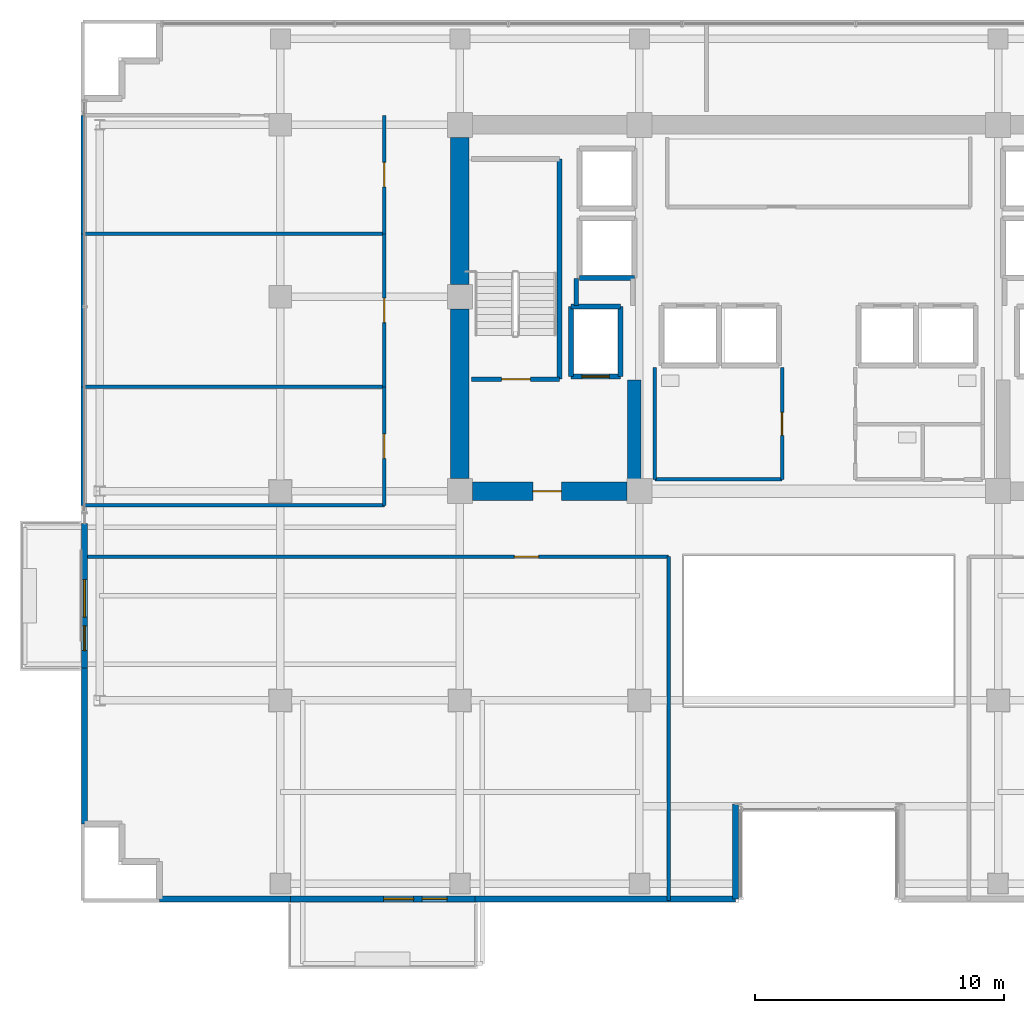
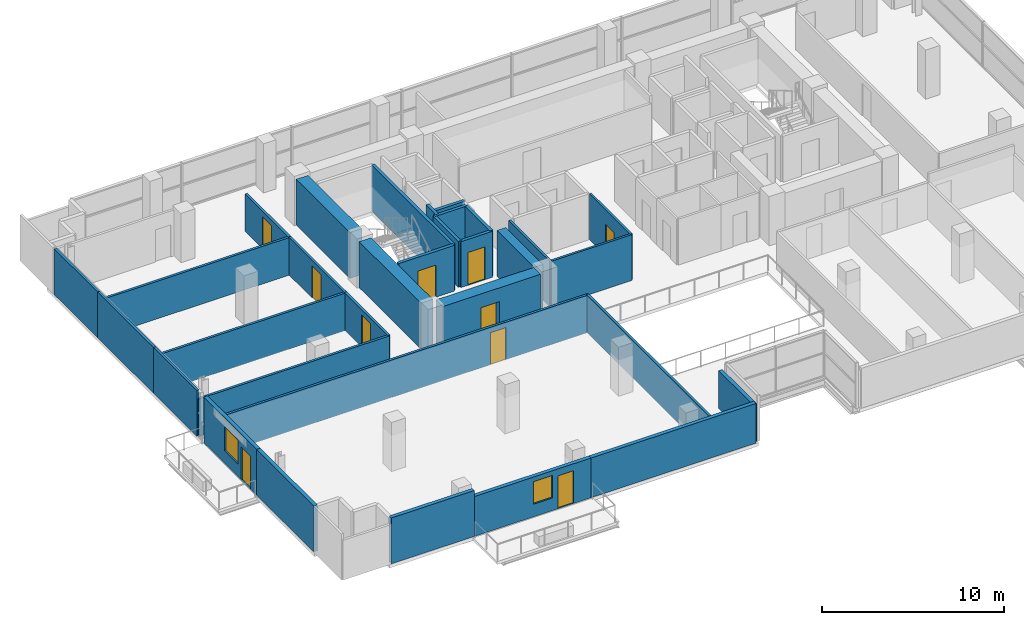
# One storey, part 20 of 28: 32 walls, 10 doors, 2 windows, 12 openings.
"""IFC4 building model written with IfcOpenShell, lengths in metres."""

from ifc_helpers import new_model, si_unit, direction, frame, frame_2d, origin, place, context, subcontext, project, spatial, rectangle, extrude, source, transform, mapped, material, layer, layer_set, type_object, element, fill, save


model = new_model("IFC4")

# Units and contexts
model_context = context("Model", 3, precision=1e-05, world=origin(), true_north=direction((0.0, 1.0)))
body_context = subcontext(model_context, "Body", "Model", "MODEL_VIEW")
ifc_project = project(units=[si_unit("LENGTHUNIT", "METRE"), si_unit("AREAUNIT", "SQUARE_METRE"), si_unit("VOLUMEUNIT", "CUBIC_METRE"), si_unit("PLANEANGLEUNIT", "RADIAN"), si_unit("MASSUNIT", "GRAM", prefix="KILO")], contexts=[model_context])

# Site, building, storey
site_placement = place(None, origin())
site = spatial("IfcSite", under=ifc_project, at=site_placement, CompositionType="ELEMENT")
building_placement = place(site_placement, origin())
building = spatial("IfcBuilding", under=site, at=building_placement, Name="Zarnakvel Exchange Tower", CompositionType="ELEMENT")
storey_placement = place(building_placement, frame((0.0, 0.0, 109.89990234375)))
storey = spatial("IfcBuildingStorey", under=building, at=storey_placement, Name="L30", CompositionType="ELEMENT", Elevation=109.89990234375)

# Walls
ifc_material_1 = material(Name="Concrete C60/75", Category="concrete")
ifc_layer_1 = layer(ifc_material_1, 0.75)
ifc_layer_set_1 = layer_set([ifc_layer_1], Name="Concrete C60/75")
wall_type_1 = type_object("IfcWallType", Name="CW-C3", PredefinedType="SHEAR", material=ifc_layer_set_1)
wall_1_placement = place(storey_placement, frame((-14.39990234375, -0.699951171875, 0.0), z_axis=(0.0, 0.0, 1.0), x_axis=(0.0, 1.0, 0.0)))
element("IfcWall", 1, at=wall_1_placement, inside=storey, type_object=wall_type_1, Name="L30 Rear Core Shear Wall W1 (CW-C3)", PredefinedType="SHEAR", context=body_context, shape_type="SweptSolid", body=[
    extrude(rectangle(XDim=6.800048828125, YDim=0.75, at=frame_2d((3.39990234375, 0.0))), origin(), (0.0, 0.0, 1.0), 3.0751953125),
])
wall_2_placement = place(storey_placement, frame((-14.39990234375, 7.10009765625, 0.0), z_axis=(0.0, 0.0, 1.0), x_axis=(0.0, 1.0, 0.0)))
element("IfcWall", 2, at=wall_2_placement, inside=storey, type_object=wall_type_1, Name="L30 Rear Core Shear Wall W2 (CW-C3)", PredefinedType="SHEAR", context=body_context, shape_type="SweptSolid", body=[
    extrude(rectangle(XDim=5.89990234375, YDim=0.75, at=frame_2d((2.949951171875, 0.0))), origin(), (0.0, 0.0, 1.0), 3.0751953125),
])

# Wall, opening, door
wall_3_placement = place(storey_placement, frame((-7.699951171875, -1.199951171875, 0.0), z_axis=(0.0, 0.0, 1.0), x_axis=(-1.0, 0.0, 0.0)))
wall_3 = element("IfcWall", 3, at=wall_3_placement, inside=storey, type_object=wall_type_1, Name="L30 Rear Core Shear Wall SW (CW-C3)", PredefinedType="SHEAR", context=body_context, shape_type="SweptSolid", body=[
    extrude(rectangle(XDim=6.199951171875, YDim=0.75, at=frame_2d((3.10009765625, 0.0))), origin(), (0.0, 0.0, 1.0), 3.0751953125),
])
opening_1_placement = place(wall_3_placement, frame((2.625, 0.0, 0.0)))
opening_1 = element("IfcOpeningElement", 4, at=opening_1_placement, cuts=wall_3, Name="Opening D-L30-03", PredefinedType="OPENING", context=body_context, shape_type="SweptSolid", body=[
    extrude(rectangle(XDim=1.14990234375, YDim=2.14990234375, at=frame_2d((0.574951171875, 1.074951171875))), frame((0.0, 0.385009765625, 0.0), z_axis=(0.0, -1.0, 0.0), x_axis=(1.0, 0.0, 0.0)), (0.0, 0.0, 1.0), 0.77001953125),
])
ifc_material_2 = material(Name="Painted Galvanised Steel S355", Category="steel")
door_type_1 = type_object("IfcDoorType", Name="DT-04", OperationType="NOTDEFINED", PredefinedType="DOOR", material=ifc_material_2)
shared_shape_1 = source(origin(), body_context, "Body", "SweptSolid", [
    extrude(rectangle(XDim=1.14990234375, YDim=2.14990234375, at=frame_2d((0.574951171875, 1.074951171875))), frame((0.0, 0.02490234375, 0.0), z_axis=(0.0, -1.0, 0.0), x_axis=(1.0, 0.0, 0.0)), (0.0, 0.0, 1.0), 0.050048828125),
])
door_1_placement = place(opening_1_placement, origin())
door_1 = element("IfcDoor", 5, at=door_1_placement, inside=storey, type_object=door_type_1, Name="L30 Firefighting Lobby West Door D-L30-03", OperationType="SINGLE_SWING_RIGHT", OverallHeight=2.14990234375, OverallWidth=1.14990234375, PredefinedType="DOOR", context=body_context, shape_type="MappedRepresentation", body=[
    mapped(shared_shape_1, transform((0.0, 0.0, 0.0), x_axis=(1.0, 0.0, 0.0), y_axis=(0.0, 1.0, 0.0), z_axis=(0.0, 0.0, 1.0), scale=1.0)),
])
fill(opening_1, door_1)

# Wall
ifc_layer_2 = layer(ifc_material_1, 0.550048828125)
ifc_layer_set_2 = layer_set([ifc_layer_2], Name="Concrete C60/75")
wall_type_2 = type_object("IfcWallType", Name="CW-C4", PredefinedType="SHEAR", material=ifc_layer_set_2)
wall_4_placement = place(storey_placement, frame((-7.39990234375, -0.824951171875, 0.0), z_axis=(0.0, 0.0, 1.0), x_axis=(0.0, 1.0, 0.0)))
element("IfcWall", 6, at=wall_4_placement, inside=storey, type_object=wall_type_2, Name="L30 Rear Core Shear Wall IW (CW-C4)", PredefinedType="SHEAR", context=body_context, shape_type="SweptSolid", body=[
    extrude(rectangle(XDim=4.074951171875, YDim=0.550048828125, at=frame_2d((2.03759765625, 0.0))), origin(), (0.0, 0.0, 1.0), 3.0751953125),
])

# Wall, openings, door, window
ifc_material_3 = material(Name="Precast concrete C40/50", Category="concrete")
ifc_layer_3 = layer(ifc_material_3, 0.239990234375)
ifc_layer_set_3 = layer_set([ifc_layer_3], Name="Precast concrete C40/50")
wall_type_3 = type_object("IfcWallType", Name="EW-02", PredefinedType="SOLIDWALL", material=ifc_layer_set_3)
wall_5_placement = place(storey_placement, frame((-13.800048828125, -17.56005859375, 0.0), z_axis=(0.0, 0.0, 1.0), x_axis=(-1.0, 0.0, 0.0)))
wall_5 = element("IfcWall", 7, at=wall_5_placement, inside=storey, type_object=wall_type_3, Name="L30 Exterior Precast Spandrel Wall EW-BAL-L30-SW (EW-02)", PredefinedType="SOLIDWALL", context=body_context, shape_type="SweptSolid", body=[
    extrude(rectangle(XDim=7.39990234375, YDim=0.239990234375, at=frame_2d((3.699951171875, 0.0))), origin(), (0.0, 0.0, 1.0), 2.6650390625),
])
opening_2_placement = place(wall_5_placement, frame((1.110107421875, 0.0, 0.0)))
opening_2 = element("IfcOpeningElement", 8, at=opening_2_placement, cuts=wall_5, Name="Opening BD-L30-01", PredefinedType="OPENING", context=body_context, shape_type="SweptSolid", body=[
    extrude(rectangle(XDim=1.0, YDim=2.199951171875, at=frame_2d((0.5, 1.10009765625))), frame((0.0, 0.1298828125, 0.0), z_axis=(0.0, -1.0, 0.0), x_axis=(1.0, 0.0, 0.0)), (0.0, 0.0, 1.0), 0.260009765625),
])
opening_3_placement = place(wall_5_placement, frame((2.4599609375, 0.0, 0.85009765625)))
opening_3 = element("IfcOpeningElement", 9, at=opening_3_placement, cuts=wall_5, Name="Opening WN-04", PredefinedType="OPENING", context=body_context, shape_type="SweptSolid", body=[
    extrude(rectangle(XDim=1.199951171875, YDim=1.5, at=frame_2d((0.60009765625, 0.75))), frame((0.0, 0.1298828125, 0.0), z_axis=(0.0, -1.0, 0.0), x_axis=(1.0, 0.0, 0.0)), (0.0, 0.0, 1.0), 0.260009765625),
])
ifc_material_4 = material(Name="Architectural Bronze Anodised Aluminium", Category="aluminium")
door_type_2 = type_object("IfcDoorType", Name="DT-09", OperationType="NOTDEFINED", PredefinedType="DOOR", material=ifc_material_4)
shared_shape_2 = source(origin(), body_context, "Body", "SweptSolid", [
    extrude(rectangle(XDim=1.0, YDim=2.199951171875, at=frame_2d((0.5, 1.10009765625))), frame((0.0, 0.02490234375, 0.0), z_axis=(0.0, -1.0, 0.0), x_axis=(1.0, 0.0, 0.0)), (0.0, 0.0, 1.0), 0.050048828125),
])
door_2_placement = place(opening_2_placement, origin())
door_2 = element("IfcDoor", 10, at=door_2_placement, inside=storey, type_object=door_type_2, Name="L30 Planted Loggia Balcony Door BD-L30-01", OperationType="SINGLE_SWING_RIGHT", OverallHeight=2.199951171875, OverallWidth=1.0, PredefinedType="DOOR", context=body_context, shape_type="MappedRepresentation", body=[
    mapped(shared_shape_2, transform((0.0, 0.0, 0.0), x_axis=(1.0, 0.0, 0.0), y_axis=(0.0, 1.0, 0.0), z_axis=(0.0, 0.0, 1.0), scale=1.0)),
])
fill(opening_2, door_2)
ifc_material_5 = material(Name="Double Low-E Laminated Vision Glass", Category="glass")
window_type_1 = type_object("IfcWindowType", Name="WN-04", PartitioningType="SINGLE_PANEL", PredefinedType="WINDOW", material=ifc_material_5)
shared_shape_3 = source(origin(), body_context, "Body", "SweptSolid", [
    extrude(rectangle(XDim=1.199951171875, YDim=1.5, at=frame_2d((0.60009765625, 0.75))), frame((0.0, 0.030029296875, 0.0), z_axis=(0.0, -1.0, 0.0), x_axis=(1.0, 0.0, 0.0)), (0.0, 0.0, 1.0), 0.06005859375),
])
window_1_placement = place(opening_3_placement, origin())
window_1 = element("IfcWindow", 11, at=window_1_placement, inside=storey, type_object=window_type_1, Name="L30 Loggia Daylight Window (WN-04)", OverallHeight=1.5, OverallWidth=1.199951171875, PartitioningType="SINGLE_PANEL", PredefinedType="WINDOW", context=body_context, shape_type="MappedRepresentation", body=[
    mapped(shared_shape_3, transform((0.0, 0.0, 0.0), x_axis=(1.0, 0.0, 0.0), y_axis=(0.0, 1.0, 0.0), z_axis=(0.0, 0.0, 1.0), scale=1.0)),
])
fill(opening_3, window_1)

wall_6_placement = place(storey_placement, frame((-29.4599609375, -8.300048828125, 0.0), z_axis=(0.0, 0.0, 1.0), x_axis=(0.0, 1.0, 0.0)))
wall_6 = element("IfcWall", 12, at=wall_6_placement, inside=storey, type_object=wall_type_3, Name="L30 Exterior Precast Spandrel Wall EW-BAL-L30-W (EW-02)", PredefinedType="SOLIDWALL", context=body_context, shape_type="SweptSolid", body=[
    extrude(rectangle(XDim=5.800048828125, YDim=0.239990234375, at=frame_2d((2.89990234375, 0.0))), origin(), (0.0, 0.0, 1.0), 3.0751953125),
])
opening_4_placement = place(wall_6_placement, frame((0.696044921875, 0.0, 0.0)))
opening_4 = element("IfcOpeningElement", 13, at=opening_4_placement, cuts=wall_6, Name="Opening BD-L30-03", PredefinedType="OPENING", context=body_context, shape_type="SweptSolid", body=[
    extrude(rectangle(XDim=1.0, YDim=2.199951171875, at=frame_2d((0.5, 1.10009765625))), frame((0.0, 0.1298828125, 0.0), z_axis=(0.0, -1.0, 0.0), x_axis=(1.0, 0.0, 0.0)), (0.0, 0.0, 1.0), 0.260009765625),
])
opening_5_placement = place(wall_6_placement, frame((2.0458984375, 0.0, 0.85009765625)))
opening_5 = element("IfcOpeningElement", 14, at=opening_5_placement, cuts=wall_6, Name="Opening WN-03", PredefinedType="OPENING", context=body_context, shape_type="SweptSolid", body=[
    extrude(rectangle(XDim=1.5, YDim=1.60009765625, at=frame_2d((0.75, 0.800048828125))), frame((0.0, 0.1298828125, 0.0), z_axis=(0.0, -1.0, 0.0), x_axis=(1.0, 0.0, 0.0)), (0.0, 0.0, 1.0), 0.260009765625),
])
door_3_placement = place(opening_4_placement, origin())
door_3 = element("IfcDoor", 15, at=door_3_placement, inside=storey, type_object=door_type_2, Name="L30 Planted Loggia Balcony Door BD-L30-03", OperationType="SINGLE_SWING_RIGHT", OverallHeight=2.199951171875, OverallWidth=1.0, PredefinedType="DOOR", context=body_context, shape_type="MappedRepresentation", body=[
    mapped(shared_shape_2, transform((0.0, 0.0, 0.0), x_axis=(1.0, 0.0, 0.0), y_axis=(0.0, 1.0, 0.0), z_axis=(0.0, 0.0, 1.0), scale=1.0)),
])
fill(opening_4, door_3)
window_type_2 = type_object("IfcWindowType", Name="WN-03", PartitioningType="SINGLE_PANEL", PredefinedType="WINDOW", material=ifc_material_5)
shared_shape_4 = source(origin(), body_context, "Body", "SweptSolid", [
    extrude(rectangle(XDim=1.5, YDim=1.60009765625, at=frame_2d((0.75, 0.800048828125))), frame((0.0, 0.030029296875, 0.0), z_axis=(0.0, -1.0, 0.0), x_axis=(1.0, 0.0, 0.0)), (0.0, 0.0, 1.0), 0.06005859375),
])
window_2_placement = place(opening_5_placement, origin())
window_2 = element("IfcWindow", 16, at=window_2_placement, inside=storey, type_object=window_type_2, Name="L30 Loggia Daylight Window (WN-03)", OverallHeight=1.60009765625, OverallWidth=1.5, PartitioningType="SINGLE_PANEL", PredefinedType="WINDOW", context=body_context, shape_type="MappedRepresentation", body=[
    mapped(shared_shape_4, transform((0.0, 0.0, 0.0), x_axis=(1.0, 0.0, 0.0), y_axis=(0.0, 1.0, 0.0), z_axis=(0.0, 0.0, 1.0), scale=1.0)),
])
fill(opening_5, window_2)

# Walls
wall_7_placement = place(storey_placement, frame((-29.4599609375, -8.300048828125, 0.0), z_axis=(0.0, 0.0, 1.0), x_axis=(0.0, -1.0, 0.0)))
element("IfcWall", 17, at=wall_7_placement, inside=storey, type_object=wall_type_3, Name="L30 Exterior Precast Spandrel Wall EWC-L30-01 (EW-02)", PredefinedType="SOLIDWALL", context=body_context, shape_type="SweptSolid", body=[
    extrude(rectangle(XDim=6.260009765625, YDim=0.239990234375, at=frame_2d((3.1298828125, 0.0))), origin(), (0.0, 0.0, 1.0), 3.0751953125),
])
wall_8_placement = place(storey_placement, frame((-3.340087890625, -17.56005859375, 0.0), z_axis=(0.0, 0.0, 1.0), x_axis=(0.0, 1.0, 0.0)))
element("IfcWall", 18, at=wall_8_placement, inside=storey, type_object=wall_type_3, Name="L30 Exterior Precast Spandrel Wall EWC-L30-20 (EW-02)", PredefinedType="SOLIDWALL", context=body_context, shape_type="SweptSolid", body=[
    extrude(rectangle(XDim=3.800048828125, YDim=0.239990234375, at=frame_2d((1.89990234375, 0.0))), origin(), (0.0, 0.0, 1.0), 2.51513671875),
])
wall_9_placement = place(storey_placement, frame((-13.800048828125, -17.56005859375, 0.0), z_axis=(0.0, 0.0, 1.0), x_axis=(1.0, 0.0, 0.0)))
element("IfcWall", 19, at=wall_9_placement, inside=storey, type_object=wall_type_3, Name="L30 Exterior Precast Spandrel Wall EWC-L30-21 (EW-02)", PredefinedType="SOLIDWALL", context=body_context, shape_type="SweptSolid", body=[
    extrude(rectangle(XDim=10.4599609375, YDim=0.239990234375, at=frame_2d((5.22998046875, 0.0))), origin(), (0.0, 0.0, 1.0), 2.6650390625),
])
wall_10_placement = place(storey_placement, frame((-26.4599609375, -17.56005859375, 0.0), z_axis=(0.0, 0.0, 1.0), x_axis=(1.0, 0.0, 0.0)))
element("IfcWall", 20, at=wall_10_placement, inside=storey, type_object=wall_type_3, Name="L30 Exterior Precast Spandrel Wall EWC-L30-22 (EW-02)", PredefinedType="SOLIDWALL", context=body_context, shape_type="SweptSolid", body=[
    extrude(rectangle(XDim=5.260009765625, YDim=0.239990234375, at=frame_2d((2.6298828125, 0.0))), origin(), (0.0, 0.0, 1.0), 3.0751953125),
])

# Wall, opening, door
ifc_material_6 = material(Name="Fire-Rated Gypsum Stud Partition", Category="gypsum")
ifc_layer_4 = layer(ifc_material_6, 0.14990234375)
ifc_layer_set_4 = layer_set([ifc_layer_4], Name="Fire-Rated Gypsum Stud Partition")
wall_type_4 = type_object("IfcWallType", Name="PT-01", PredefinedType="PARTITIONING", material=ifc_layer_set_4)
wall_11_placement = place(storey_placement, frame((-29.530029296875, -3.830078125, 0.0), z_axis=(0.0, 0.0, 1.0), x_axis=(1.0, 0.0, 0.0)))
wall_11 = element("IfcWall", 21, at=wall_11_placement, inside=storey, type_object=wall_type_4, Name="L30 Partition Wall PWALL-L30-026 (PT-01)", PredefinedType="PARTITIONING", context=body_context, shape_type="SweptSolid", body=[
    extrude(rectangle(XDim=23.510009765625, YDim=0.14990234375, at=frame_2d((11.7548828125, 0.0))), origin(), (0.0, 0.0, 1.0), 2.51513671875),
])
opening_6_placement = place(wall_11_placement, frame((17.31494140625, 0.0, 0.0)))
opening_6 = element("IfcOpeningElement", 22, at=opening_6_placement, cuts=wall_11, Name="Opening D-L30-10", PredefinedType="OPENING", context=body_context, shape_type="SweptSolid", body=[
    extrude(rectangle(XDim=0.97998046875, YDim=2.14990234375, at=frame_2d((0.489990234375, 1.074951171875))), frame((0.0, 0.0849609375, 0.0), z_axis=(0.0, -1.0, 0.0), x_axis=(1.0, 0.0, 0.0)), (0.0, 0.0, 1.0), 0.169921875),
])
ifc_material_7 = material(Name="Timber Acoustic Veneer", Category="wood")
door_type_3 = type_object("IfcDoorType", Name="DT-05", OperationType="NOTDEFINED", PredefinedType="DOOR", material=ifc_material_7)
shared_shape_5 = source(origin(), body_context, "Body", "SweptSolid", [
    extrude(rectangle(XDim=0.97998046875, YDim=2.14990234375, at=frame_2d((0.489990234375, 1.074951171875))), frame((0.0, 0.02490234375, 0.0), z_axis=(0.0, -1.0, 0.0), x_axis=(1.0, 0.0, 0.0)), (0.0, 0.0, 1.0), 0.050048828125),
])
door_4_placement = place(opening_6_placement, origin())
door_4 = element("IfcDoor", 23, at=door_4_placement, inside=storey, type_object=door_type_3, Name="L30 Derivatives Trading Hall Door D-L30-10", OperationType="SINGLE_SWING_LEFT", OverallHeight=2.14990234375, OverallWidth=0.97998046875, PredefinedType="DOOR", context=body_context, shape_type="MappedRepresentation", body=[
    mapped(shared_shape_5, transform((0.0, 0.0, 0.0), x_axis=(1.0, 0.0, 0.0), y_axis=(0.0, 1.0, 0.0), z_axis=(0.0, 0.0, 1.0), scale=1.0)),
])
fill(opening_6, door_4)

# Walls
wall_12_placement = place(storey_placement, frame((-6.02001953125, -3.830078125, 0.0), z_axis=(0.0, 0.0, 1.0), x_axis=(0.0, -1.0, 0.0)))
element("IfcWall", 24, at=wall_12_placement, inside=storey, type_object=wall_type_4, Name="L30 Partition Wall PWALL-L30-028 (PT-01)", PredefinedType="PARTITIONING", context=body_context, shape_type="SweptSolid", body=[
    extrude(rectangle(XDim=13.7998046875, YDim=0.14990234375, at=frame_2d((6.89990234375, 0.0))), origin(), (0.0, 0.0, 1.0), 2.51513671875),
])
for number, where, z_axis, x_axis, name in (
    (25, (-17.429931640625, -1.77001953125, 0.0), (0.0, 0.0, 1.0), (-1.0, 0.0, 0.0), "L30 Partition Wall PWALL-L30-039 (PT-01)"),
    (26, (-29.530029296875, 2.987060546875, 0.0), (0.0, 0.0, 1.0), (1.0, 0.0, 0.0), "L30 Partition Wall PWALL-L30-040 (PT-01)"),
):
    element("IfcWall", number, at=place(storey_placement, frame(where, z_axis=z_axis, x_axis=x_axis)), inside=storey, type_object=wall_type_4, Name=name, PredefinedType="PARTITIONING", context=body_context, shape_type="SweptSolid", body=[
        extrude(rectangle(XDim=12.10009765625, YDim=0.14990234375, at=frame_2d((6.050048828125, 0.0))), origin(), (0.0, 0.0, 1.0), 2.51513671875),
    ])
wall_13_placement = place(storey_placement, frame((-29.530029296875, -1.77001953125, 0.0), z_axis=(0.0, 0.0, 1.0), x_axis=(0.0, 1.0, 0.0)))
element("IfcWall", 27, at=wall_13_placement, inside=storey, type_object=wall_type_4, Name="L30 Partition Wall PWALL-L30-041 (PT-01)", PredefinedType="PARTITIONING", context=body_context, shape_type="SweptSolid", body=[
    extrude(rectangle(XDim=4.757080078125, YDim=0.14990234375, at=frame_2d((2.37841796875, 0.0))), origin(), (0.0, 0.0, 1.0), 3.0751953125),
])

# Wall, opening, door
wall_14_placement = place(storey_placement, frame((-17.429931640625, 2.987060546875, 0.0), z_axis=(0.0, 0.0, 1.0), x_axis=(0.0, -1.0, 0.0)))
wall_14 = element("IfcWall", 28, at=wall_14_placement, inside=storey, type_object=wall_type_4, Name="L30 Partition Wall PWALL-L30-042 (PT-01)", PredefinedType="PARTITIONING", context=body_context, shape_type="SweptSolid", body=[
    extrude(rectangle(XDim=4.757080078125, YDim=0.14990234375, at=frame_2d((2.37841796875, 0.0))), origin(), (0.0, 0.0, 1.0), 2.51513671875),
])
opening_7_placement = place(wall_14_placement, frame((1.887939453125, 0.0, 0.0)))
opening_7 = element("IfcOpeningElement", 29, at=opening_7_placement, cuts=wall_14, Name="Opening D-L30-14", PredefinedType="OPENING", context=body_context, shape_type="SweptSolid", body=[
    extrude(rectangle(XDim=0.97998046875, YDim=2.14990234375, at=frame_2d((0.489990234375, 1.074951171875))), frame((0.0, 0.0849609375, 0.0), z_axis=(0.0, -1.0, 0.0), x_axis=(1.0, 0.0, 0.0)), (0.0, 0.0, 1.0), 0.169921875),
])
door_5_placement = place(opening_7_placement, origin())
door_5 = element("IfcDoor", 30, at=door_5_placement, inside=storey, type_object=door_type_3, Name="L30 Executive Suite Door D-L30-14", OperationType="SINGLE_SWING_LEFT", OverallHeight=2.14990234375, OverallWidth=0.97998046875, PredefinedType="DOOR", context=body_context, shape_type="MappedRepresentation", body=[
    mapped(shared_shape_5, transform((0.0, 0.0, 0.0), x_axis=(1.0, 0.0, 0.0), y_axis=(0.0, 1.0, 0.0), z_axis=(0.0, 0.0, 1.0), scale=1.0)),
])
fill(opening_7, door_5)

# Walls
wall_15_placement = place(storey_placement, frame((-29.530029296875, 9.123046875, 0.0), z_axis=(0.0, 0.0, 1.0), x_axis=(1.0, 0.0, 0.0)))
element("IfcWall", 31, at=wall_15_placement, inside=storey, type_object=wall_type_4, Name="L30 Partition Wall PWALL-L30-043 (PT-01)", PredefinedType="PARTITIONING", context=body_context, shape_type="SweptSolid", body=[
    extrude(rectangle(XDim=12.10009765625, YDim=0.14990234375, at=frame_2d((6.050048828125, 0.0))), origin(), (0.0, 0.0, 1.0), 2.51513671875),
])
wall_16_placement = place(storey_placement, frame((-29.530029296875, 2.987060546875, 0.0), z_axis=(0.0, 0.0, 1.0), x_axis=(0.0, 1.0, 0.0)))
element("IfcWall", 32, at=wall_16_placement, inside=storey, type_object=wall_type_4, Name="L30 Partition Wall PWALL-L30-044 (PT-01)", PredefinedType="PARTITIONING", context=body_context, shape_type="SweptSolid", body=[
    extrude(rectangle(XDim=6.135986328125, YDim=0.14990234375, at=frame_2d((3.06787109375, 0.0))), origin(), (0.0, 0.0, 1.0), 3.0751953125),
])

# Wall, opening, door
wall_17_placement = place(storey_placement, frame((-17.429931640625, 9.123046875, 0.0), z_axis=(0.0, 0.0, 1.0), x_axis=(0.0, -1.0, 0.0)))
wall_17 = element("IfcWall", 33, at=wall_17_placement, inside=storey, type_object=wall_type_4, Name="L30 Partition Wall PWALL-L30-045 (PT-01)", PredefinedType="PARTITIONING", context=body_context, shape_type="SweptSolid", body=[
    extrude(rectangle(XDim=6.135986328125, YDim=0.14990234375, at=frame_2d((3.06787109375, 0.0))), origin(), (0.0, 0.0, 1.0), 2.51513671875),
])
opening_8_placement = place(wall_17_placement, frame((2.578125, 0.0, 0.0)))
opening_8 = element("IfcOpeningElement", 34, at=opening_8_placement, cuts=wall_17, Name="Opening D-L30-15", PredefinedType="OPENING", context=body_context, shape_type="SweptSolid", body=[
    extrude(rectangle(XDim=0.97998046875, YDim=2.14990234375, at=frame_2d((0.489990234375, 1.074951171875))), frame((0.0, 0.0849609375, 0.0), z_axis=(0.0, -1.0, 0.0), x_axis=(1.0, 0.0, 0.0)), (0.0, 0.0, 1.0), 0.169921875),
])
door_6_placement = place(opening_8_placement, origin())
door_6 = element("IfcDoor", 35, at=door_6_placement, inside=storey, type_object=door_type_3, Name="L30 Staff Pantry Door D-L30-15", OperationType="SINGLE_SWING_RIGHT", OverallHeight=2.14990234375, OverallWidth=0.97998046875, PredefinedType="DOOR", context=body_context, shape_type="MappedRepresentation", body=[
    mapped(shared_shape_5, transform((0.0, 0.0, 0.0), x_axis=(1.0, 0.0, 0.0), y_axis=(0.0, 1.0, 0.0), z_axis=(0.0, 0.0, 1.0), scale=1.0)),
])
fill(opening_8, door_6)

# Wall
wall_18_placement = place(storey_placement, frame((-29.530029296875, 9.123046875, 0.0), z_axis=(0.0, 0.0, 1.0), x_axis=(0.0, 1.0, 0.0)))
element("IfcWall", 36, at=wall_18_placement, inside=storey, type_object=wall_type_4, Name="L30 Partition Wall PWALL-L30-047 (PT-01)", PredefinedType="PARTITIONING", context=body_context, shape_type="SweptSolid", body=[
    extrude(rectangle(XDim=4.7568359375, YDim=0.14990234375, at=frame_2d((2.37841796875, 0.0))), origin(), (0.0, 0.0, 1.0), 3.0751953125),
])

# Wall, opening, door
wall_19_placement = place(storey_placement, frame((-17.429931640625, 13.8798828125, 0.0), z_axis=(0.0, 0.0, 1.0), x_axis=(0.0, -1.0, 0.0)))
wall_19 = element("IfcWall", 37, at=wall_19_placement, inside=storey, type_object=wall_type_4, Name="L30 Partition Wall PWALL-L30-048 (PT-01)", PredefinedType="PARTITIONING", context=body_context, shape_type="SweptSolid", body=[
    extrude(rectangle(XDim=4.7568359375, YDim=0.14990234375, at=frame_2d((2.37841796875, 0.0))), origin(), (0.0, 0.0, 1.0), 2.51513671875),
])
opening_9_placement = place(wall_19_placement, frame((1.887939453125, 0.0, 0.0)))
opening_9 = element("IfcOpeningElement", 38, at=opening_9_placement, cuts=wall_19, Name="Opening D-L30-16", PredefinedType="OPENING", context=body_context, shape_type="SweptSolid", body=[
    extrude(rectangle(XDim=0.97998046875, YDim=2.14990234375, at=frame_2d((0.489990234375, 1.074951171875))), frame((0.0, 0.0849609375, 0.0), z_axis=(0.0, -1.0, 0.0), x_axis=(1.0, 0.0, 0.0)), (0.0, 0.0, 1.0), 0.169921875),
])
door_7_placement = place(opening_9_placement, origin())
door_7 = element("IfcDoor", 39, at=door_7_placement, inside=storey, type_object=door_type_3, Name="L30 Compliance Office Door D-L30-16", OperationType="SINGLE_SWING_LEFT", OverallHeight=2.14990234375, OverallWidth=0.97998046875, PredefinedType="DOOR", context=body_context, shape_type="MappedRepresentation", body=[
    mapped(shared_shape_5, transform((0.0, 0.0, 0.0), x_axis=(1.0, 0.0, 0.0), y_axis=(0.0, 1.0, 0.0), z_axis=(0.0, 0.0, 1.0), scale=1.0)),
])
fill(opening_9, door_7)

# Walls
ifc_layer_5 = layer(ifc_material_6, 0.179931640625)
ifc_layer_set_5 = layer_set([ifc_layer_5], Name="Fire-Rated Gypsum Stud Partition")
wall_type_5 = type_object("IfcWallType", Name="PT-02", PredefinedType="PARTITIONING", material=ifc_layer_set_5)
wall_20_placement = place(storey_placement, frame((-9.72998046875, 6.239990234375, 0.0), z_axis=(0.0, 0.0, 1.0), x_axis=(0.0, 1.0, 0.0)))
element("IfcWall", 40, at=wall_20_placement, inside=storey, type_object=wall_type_5, Name="L30 Partition Wall PWALL-L30-007 (PT-02)", PredefinedType="PARTITIONING", context=body_context, shape_type="SweptSolid", body=[
    extrude(rectangle(XDim=1.090087890625, YDim=0.179931640625, at=frame_2d((0.544921875, 0.0))), origin(), (0.0, 0.0, 1.0), 3.0751953125),
])
ifc_material_8 = material(Name="Moisture-Resistant Tile-Faced Partition", Category="gypsum")
ifc_layer_6 = layer(ifc_material_8, 0.135009765625)
ifc_layer_set_6 = layer_set([ifc_layer_6], Name="Moisture-Resistant Tile-Faced Partition")
wall_type_6 = type_object("IfcWallType", Name="PT-03", PredefinedType="PARTITIONING", material=ifc_layer_set_6)
wall_21_placement = place(storey_placement, frame((-1.469970703125, -0.72998046875, 0.0), z_axis=(0.0, 0.0, 1.0), x_axis=(-1.0, 0.0, 0.0)))
element("IfcWall", 41, at=wall_21_placement, inside=storey, type_object=wall_type_6, Name="L30 Partition Wall PWALL-L30-014 (PT-03)", PredefinedType="PARTITIONING", context=body_context, shape_type="SweptSolid", body=[
    extrude(rectangle(XDim=5.110107421875, YDim=0.135009765625, at=frame_2d((2.55517578125, 0.0))), origin(), (0.0, 0.0, 1.0), 3.0751953125),
])
wall_22_placement = place(storey_placement, frame((-6.580078125, -0.72998046875, 0.0), z_axis=(0.0, 0.0, 1.0), x_axis=(0.0, 1.0, 0.0)))
element("IfcWall", 42, at=wall_22_placement, inside=storey, type_object=wall_type_6, Name="L30 Partition Wall PWALL-L30-015 (PT-03)", PredefinedType="PARTITIONING", context=body_context, shape_type="SweptSolid", body=[
    extrude(rectangle(XDim=4.489990234375, YDim=0.135009765625, at=frame_2d((2.2451171875, 0.0))), origin(), (0.0, 0.0, 1.0), 3.0751953125),
])

# Wall, opening, door
wall_23_placement = place(storey_placement, frame((-1.469970703125, 3.760009765625, 0.0), z_axis=(0.0, 0.0, 1.0), x_axis=(0.0, -1.0, 0.0)))
wall_23 = element("IfcWall", 43, at=wall_23_placement, inside=storey, type_object=wall_type_6, Name="L30 Partition Wall PWALL-L30-016 (PT-03)", PredefinedType="PARTITIONING", context=body_context, shape_type="SweptSolid", body=[
    extrude(rectangle(XDim=4.489990234375, YDim=0.135009765625, at=frame_2d((2.2451171875, 0.0))), origin(), (0.0, 0.0, 1.0), 3.0751953125),
])
opening_10_placement = place(wall_23_placement, frame((1.800048828125, 0.0, 0.0)))
opening_10 = element("IfcOpeningElement", 44, at=opening_10_placement, cuts=wall_23, Name="Opening D-L30-06", PredefinedType="OPENING", context=body_context, shape_type="SweptSolid", body=[
    extrude(rectangle(XDim=0.919921875, YDim=2.10009765625, at=frame_2d((0.4599609375, 1.050048828125))), frame((0.0, 0.077392578125, 0.0), z_axis=(0.0, -1.0, 0.0), x_axis=(1.0, 0.0, 0.0)), (0.0, 0.0, 1.0), 0.155029296875),
])
ifc_material_9 = material(Name="Moisture-Resistant Laminate Timber", Category="wood")
door_type_4 = type_object("IfcDoorType", Name="DT-07", OperationType="NOTDEFINED", PredefinedType="DOOR", material=ifc_material_9)
shared_shape_6 = source(origin(), body_context, "Body", "SweptSolid", [
    extrude(rectangle(XDim=0.919921875, YDim=2.10009765625, at=frame_2d((0.4599609375, 1.050048828125))), frame((0.0, 0.02490234375, 0.0), z_axis=(0.0, -1.0, 0.0), x_axis=(1.0, 0.0, 0.0)), (0.0, 0.0, 1.0), 0.050048828125),
])
door_8_placement = place(opening_10_placement, origin())
door_8 = element("IfcDoor", 45, at=door_8_placement, inside=storey, type_object=door_type_4, Name="L30 Male Toilet Door D-L30-06", OperationType="SINGLE_SWING_LEFT", OverallHeight=2.10009765625, OverallWidth=0.919921875, PredefinedType="DOOR", context=body_context, shape_type="MappedRepresentation", body=[
    mapped(shared_shape_6, transform((0.0, 0.0, 0.0), x_axis=(1.0, 0.0, 0.0), y_axis=(0.0, 1.0, 0.0), z_axis=(0.0, 0.0, 1.0), scale=1.0)),
])
fill(opening_10, door_8)

ifc_material_10 = material(Name="Concrete C40/50", Category="concrete")
ifc_layer_7 = layer(ifc_material_10, 0.199951171875)
ifc_layer_set_7 = layer_set([ifc_layer_7], Name="Concrete C40/50")
wall_type_7 = type_object("IfcWallType", Name="SW-01", PredefinedType="SOLIDWALL", material=ifc_layer_set_7)
wall_24_placement = place(storey_placement, frame((-7.949951171875, 3.39990234375, 0.0), z_axis=(0.0, 0.0, 1.0), x_axis=(-1.0, 0.0, 0.0)))
wall_24 = element("IfcWall", 46, at=wall_24_placement, inside=storey, type_object=wall_type_7, Name="L30 FL-01 Hoistway Wall South", PredefinedType="SOLIDWALL", context=body_context, shape_type="SweptSolid", body=[
    extrude(rectangle(XDim=2.0, YDim=0.199951171875, at=frame_2d((1.0, 0.0))), origin(), (0.0, 0.0, 1.0), 3.0751953125),
])
opening_11_placement = place(wall_24_placement, frame((0.449951171875, 0.0, 0.0)))
opening_11 = element("IfcOpeningElement", 47, at=opening_11_placement, cuts=wall_24, Name="Opening LD-FL-01-L30", PredefinedType="OPENING", context=body_context, shape_type="SweptSolid", body=[
    extrude(rectangle(XDim=1.10009765625, YDim=2.199951171875, at=frame_2d((0.550048828125, 1.10009765625))), frame((0.0, 0.10986328125, 0.0), z_axis=(0.0, -1.0, 0.0), x_axis=(1.0, 0.0, 0.0)), (0.0, 0.0, 1.0), 0.219970703125),
])
ifc_material_11 = material(Name="Brushed Stainless Steel", Category="steel")
door_type_5 = type_object("IfcDoorType", Name="LDT-01", OperationType="NOTDEFINED", PredefinedType="DOOR", material=ifc_material_11)
shared_shape_7 = source(origin(), body_context, "Body", "SweptSolid", [
    extrude(rectangle(XDim=1.10009765625, YDim=2.199951171875, at=frame_2d((0.550048828125, 1.10009765625))), frame((0.0, 0.02490234375, 0.0), z_axis=(0.0, -1.0, 0.0), x_axis=(1.0, 0.0, 0.0)), (0.0, 0.0, 1.0), 0.050048828125),
])
door_9_placement = place(opening_11_placement, origin())
door_9 = element("IfcDoor", 48, at=door_9_placement, inside=storey, type_object=door_type_5, Name="L30 FL-01 Lift Landing Door LD-FL-01-L30", OperationType="DOUBLE_DOOR_SLIDING", OverallHeight=2.199951171875, OverallWidth=1.10009765625, PredefinedType="DOOR", context=body_context, shape_type="MappedRepresentation", body=[
    mapped(shared_shape_7, transform((0.0, 0.0, 0.0), x_axis=(1.0, 0.0, 0.0), y_axis=(0.0, 1.0, 0.0), z_axis=(0.0, 0.0, 1.0), scale=1.0)),
])
fill(opening_11, door_9)

# Walls
wall_25_placement = place(storey_placement, frame((-9.949951171875, 6.199951171875, 0.0), z_axis=(0.0, 0.0, 1.0), x_axis=(1.0, 0.0, 0.0)))
element("IfcWall", 49, at=wall_25_placement, inside=storey, type_object=wall_type_7, Name="L30 FL-01 Hoistway Wall North", PredefinedType="SOLIDWALL", context=body_context, shape_type="SweptSolid", body=[
    extrude(rectangle(XDim=2.0, YDim=0.199951171875, at=frame_2d((1.0, 0.0))), origin(), (0.0, 0.0, 1.0), 3.0751953125),
])
for number, where, z_axis, x_axis, name in (
    (50, (-9.949951171875, 3.39990234375, 0.0), (0.0, 0.0, 1.0), (0.0, 1.0, 0.0), "L30 FL-01 Hoistway Wall West"),
    (51, (-7.949951171875, 6.199951171875, 0.0), (0.0, 0.0, 1.0), (0.0, -1.0, 0.0), "L30 FL-01 Hoistway Wall East"),
):
    element("IfcWall", number, at=place(storey_placement, frame(where, z_axis=z_axis, x_axis=x_axis)), inside=storey, type_object=wall_type_7, Name=name, PredefinedType="SOLIDWALL", context=body_context, shape_type="SweptSolid", body=[
        extrude(rectangle(XDim=2.800048828125, YDim=0.199951171875, at=frame_2d((1.39990234375, 0.0))), origin(), (0.0, 0.0, 1.0), 3.0751953125),
    ])
wall_26_placement = place(storey_placement, frame((-7.39990234375, 7.35009765625, 0.0), z_axis=(0.0, 0.0, 1.0), x_axis=(-1.0, 0.0, 0.0)))
element("IfcWall", 52, at=wall_26_placement, inside=storey, type_object=wall_type_7, Name="L30 PL-09 Hoistway Wall South", PredefinedType="SOLIDWALL", context=body_context, shape_type="SweptSolid", body=[
    extrude(rectangle(XDim=2.2001953125, YDim=0.199951171875, at=frame_2d((1.10009765625, 0.0))), origin(), (0.0, 0.0, 1.0), 2.51513671875),
])

# Wall, opening, door
ifc_layer_8 = layer(ifc_material_10, 0.199951171875)
ifc_layer_set_8 = layer_set([ifc_layer_8], Name="Concrete C40/50")
wall_type_8 = type_object("IfcWallType", Name="SW-02", PredefinedType="SOLIDWALL", material=ifc_layer_set_8)
wall_27_placement = place(storey_placement, frame((-10.409912109375, 3.2900390625, 0.0), z_axis=(0.0, 0.0, 1.0), x_axis=(-1.0, 0.0, 0.0)))
wall_27 = element("IfcWall", 53, at=wall_27_placement, inside=storey, type_object=wall_type_8, Name="L30 Stairwell Core Wall PWALL-L30-001 (SW-02)", PredefinedType="SOLIDWALL", context=body_context, shape_type="SweptSolid", body=[
    extrude(rectangle(XDim=3.52001953125, YDim=0.199951171875, at=frame_2d((1.760009765625, 0.0))), origin(), (0.0, 0.0, 1.0), 3.0751953125),
])
opening_12_placement = place(wall_27_placement, frame((1.1650390625, 0.0, 0.0)))
opening_12 = element("IfcOpeningElement", 54, at=opening_12_placement, cuts=wall_27, Name="Opening D-L30-01", PredefinedType="OPENING", context=body_context, shape_type="SweptSolid", body=[
    extrude(rectangle(XDim=1.14990234375, YDim=2.14990234375, at=frame_2d((0.574951171875, 1.074951171875))), frame((0.0, 0.10986328125, 0.0), z_axis=(0.0, -1.0, 0.0), x_axis=(1.0, 0.0, 0.0)), (0.0, 0.0, 1.0), 0.219970703125),
])
door_10_placement = place(opening_12_placement, origin())
door_10 = element("IfcDoor", 55, at=door_10_placement, inside=storey, type_object=door_type_1, Name="L30 Stairwell ST-01 Door D-L30-01", OperationType="SINGLE_SWING_RIGHT", OverallHeight=2.14990234375, OverallWidth=1.14990234375, PredefinedType="DOOR", context=body_context, shape_type="MappedRepresentation", body=[
    mapped(shared_shape_1, transform((0.0, 0.0, 0.0), x_axis=(1.0, 0.0, 0.0), y_axis=(0.0, 1.0, 0.0), z_axis=(0.0, 0.0, 1.0), scale=1.0)),
])
fill(opening_12, door_10)

# Wall
wall_28_placement = place(storey_placement, frame((-10.409912109375, 12.1298828125, 0.0), z_axis=(0.0, 0.0, 1.0), x_axis=(0.0, -1.0, 0.0)))
element("IfcWall", 56, at=wall_28_placement, inside=storey, type_object=wall_type_8, Name="L30 Stairwell Core Wall PWALL-L30-003 (SW-02)", PredefinedType="SOLIDWALL", context=body_context, shape_type="SweptSolid", body=[
    extrude(rectangle(XDim=8.83984375, YDim=0.199951171875, at=frame_2d((4.419921875, 0.0))), origin(), (0.0, 0.0, 1.0), 3.0751953125),
])

save(model, "model.ifc")
